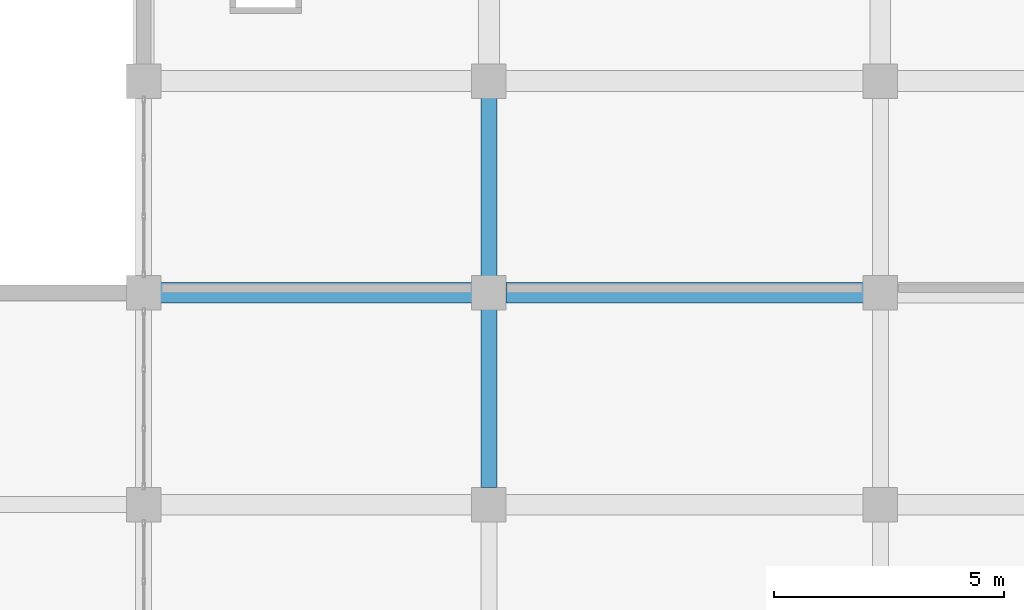
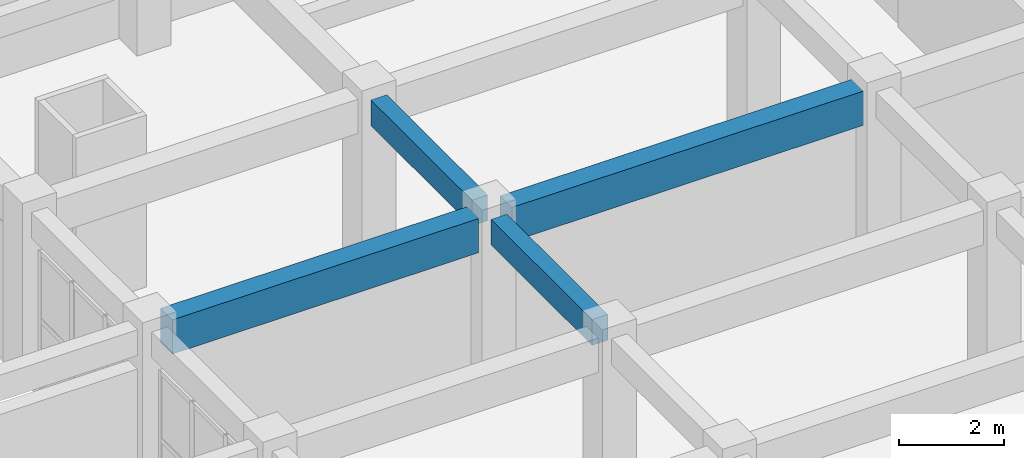
# One storey, part 45 of 116: 4 beams.
"""IFC4 building model written with IfcOpenShell, lengths in metres."""

from ifc_helpers import new_model, si_unit, direction, frame, origin, origin_2d, place, context, subcontext, project, spatial, rectangle, extrude, material, material_profile, profile_set, type_object, element, save


model = new_model("IFC4")

# Units and contexts
model_context = context("Model", 3, precision=1e-05, world=origin(), true_north=direction((0.0, 1.0)))
body_context = subcontext(model_context, "Body", "Model", "MODEL_VIEW")
ifc_project = project(units=[si_unit("LENGTHUNIT", "METRE"), si_unit("AREAUNIT", "SQUARE_METRE"), si_unit("VOLUMEUNIT", "CUBIC_METRE"), si_unit("PLANEANGLEUNIT", "RADIAN"), si_unit("MASSUNIT", "GRAM", prefix="KILO")], contexts=[model_context])

# Site, building, storey
site_placement = place(None, origin())
site = spatial("IfcSite", under=ifc_project, at=site_placement, CompositionType="ELEMENT")
building_placement = place(site_placement, origin())
building = spatial("IfcBuilding", under=site, at=building_placement, Name="Muzn Square Opera House", CompositionType="ELEMENT")
storey_placement = place(building_placement, frame((0.0, 0.0, 5.39990234375)))
storey = spatial("IfcBuildingStorey", under=building, at=storey_placement, Name="L01", CompositionType="ELEMENT", Elevation=5.39990234375)

# Beams
ifc_material = material(Name="Concrete C40/50", Category="concrete")
ifc_material_profile_1 = material_profile(ifc_material, rectangle(XDim=0.35009765625, YDim=0.60009765625, at=origin_2d()), Name="RCB 350x600", Category="concrete")
ifc_profile_set_1 = profile_set([ifc_material_profile_1], Name="Concrete C40/50")
beam_type_1 = type_object("IfcBeamType", Name="Primary Girder 350x600", PredefinedType="BEAM", material=ifc_profile_set_1)
for number, where, z_axis, x_axis, name in (
    (1, (26.5, 63.76708984375, 3.820068359375), (0.0, 1.0, 0.0), (-1.0, 0.0, 0.0), "Primary Girder BM-L01-BM-PG600-265_638_265_676-1577"),
    (2, (26.5, 68.366943359375, 3.820068359375), (0.0, 1.0, 0.0), (-1.0, 0.0, 0.0), "Primary Girder BM-L01-BM-PG600-265_684_265_722-1578"),
):
    element("IfcBeam", number, at=place(storey_placement, frame(where, z_axis=z_axis, x_axis=x_axis)), inside=storey, type_object=beam_type_1, Name=name, PredefinedType="BEAM", context=body_context, shape_type="SweptSolid", body=[
        extrude(rectangle(XDim=0.35009765625, YDim=0.60009765625, at=origin_2d()), origin(), (0.0, 0.0, 1.0), 3.865966796875),
    ])
ifc_material_profile_2 = material_profile(ifc_material, rectangle(XDim=0.449951171875, YDim=0.800048828125, at=origin_2d()), Name="RCB 450x800", Category="concrete")
ifc_profile_set_2 = profile_set([ifc_material_profile_2], Name="Concrete C40/50")
beam_type_2 = type_object("IfcBeamType", Name="Primary Girder 450x800", PredefinedType="BEAM", material=ifc_profile_set_2)
beam_1_placement = place(storey_placement, frame((19.366943359375, 68.0, 3.72021484375), z_axis=(1.0, 0.0, 0.0), x_axis=(0.0, 1.0, 0.0)))
element("IfcBeam", 3, at=beam_1_placement, inside=storey, type_object=beam_type_2, Name="Primary Girder BM-L01-BM-PG800-194_680_261_680-1415", PredefinedType="BEAM", context=body_context, shape_type="SweptSolid", body=[
    extrude(rectangle(XDim=0.449951171875, YDim=0.800048828125, at=origin_2d()), origin(), (0.0, 0.0, 1.0), 6.76611328125),
])
beam_2_placement = place(storey_placement, frame((26.866943359375, 68.0, 3.72021484375), z_axis=(1.0, 0.0, 0.0), x_axis=(0.0, 1.0, 0.0)))
element("IfcBeam", 4, at=beam_2_placement, inside=storey, type_object=beam_type_2, Name="Primary Girder BM-L01-BM-PG800-269_680_346_680-1416", PredefinedType="BEAM", context=body_context, shape_type="SweptSolid", body=[
    extrude(rectangle(XDim=0.449951171875, YDim=0.800048828125, at=origin_2d()), origin(), (0.0, 0.0, 1.0), 7.76611328125),
])

save(model, "model.ifc")
